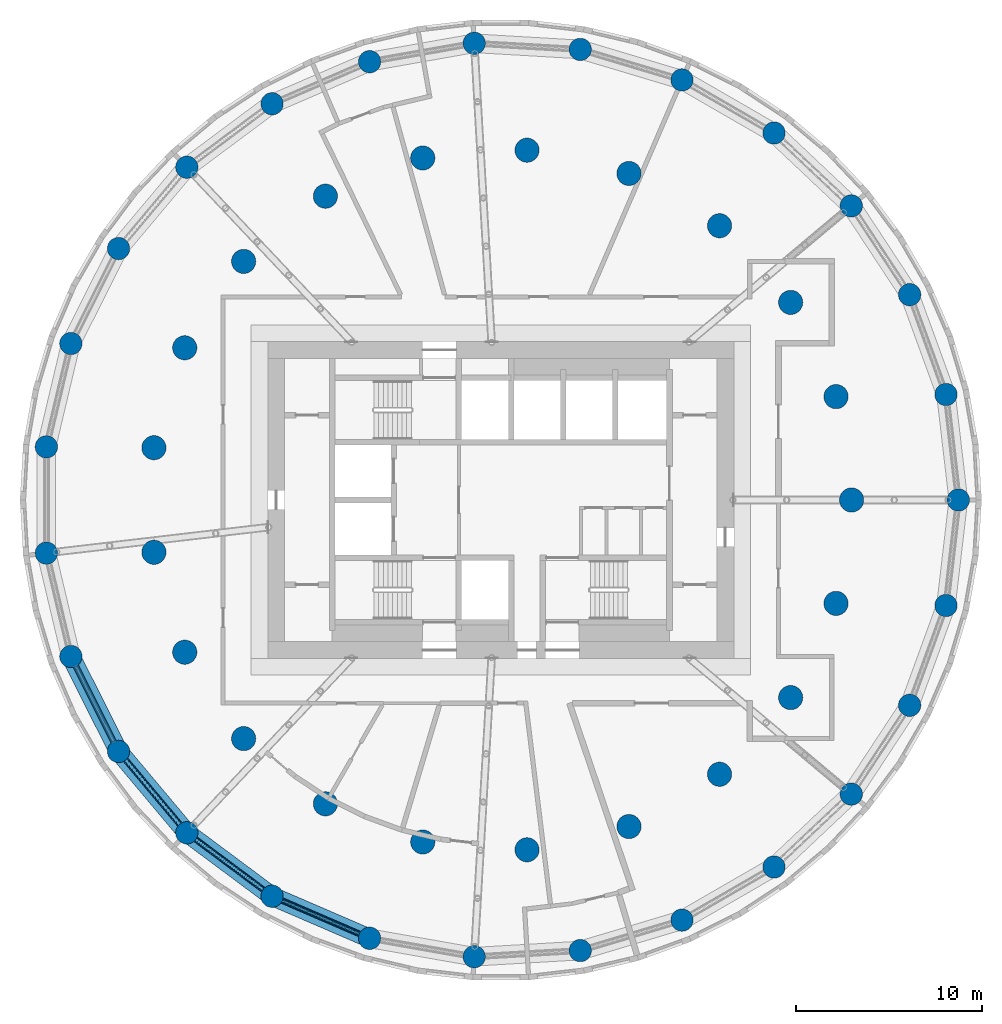
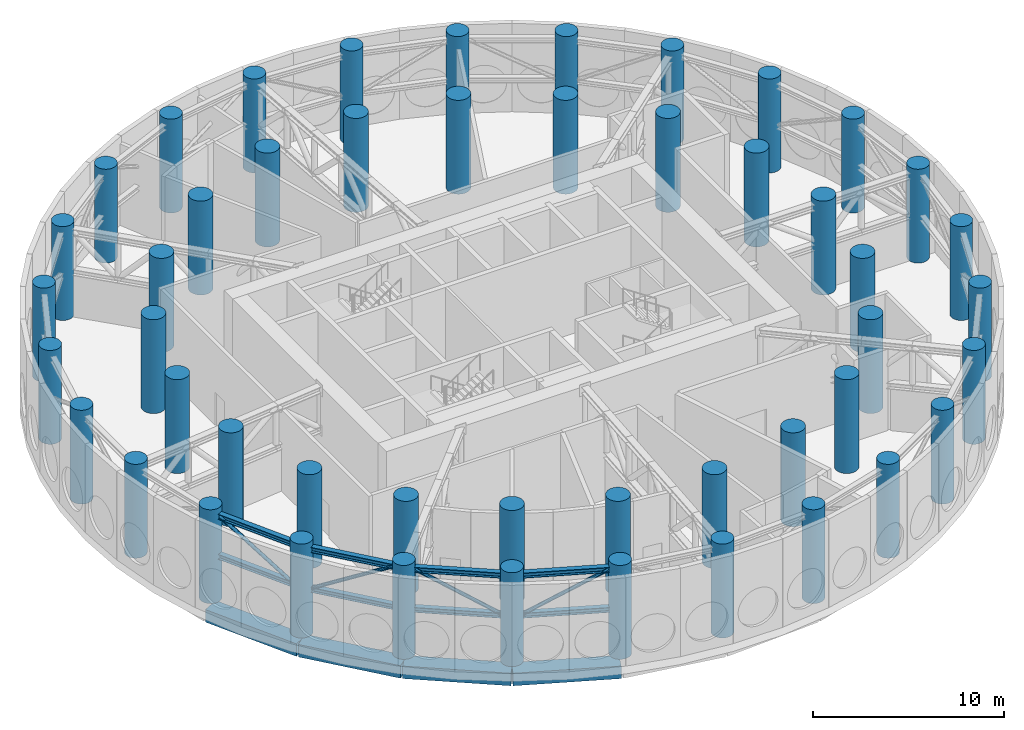
# One storey, part 1 of 15: 48 columns, 12 members, 4 beams.
"""IFC4 building model written with IfcOpenShell, lengths in metres."""

from ifc_helpers import new_model, si_unit, direction, frame, origin, origin_2d, place, context, subcontext, project, spatial, rectangle, circle, hollow_circle, i_section, extrude, material, material_profile, profile_set, type_object, element, save


model = new_model("IFC4")

# Units and contexts
model_context = context("Model", 3, precision=1e-05, world=origin(), true_north=direction((0.0, 1.0)))
body_context = subcontext(model_context, "Body", "Model", "MODEL_VIEW")
ifc_project = project(units=[si_unit("LENGTHUNIT", "METRE"), si_unit("AREAUNIT", "SQUARE_METRE"), si_unit("VOLUMEUNIT", "CUBIC_METRE"), si_unit("PLANEANGLEUNIT", "RADIAN"), si_unit("MASSUNIT", "GRAM", prefix="KILO")], contexts=[model_context])

# Site, building, storey
site_placement = place(None, origin())
site = spatial("IfcSite", under=ifc_project, at=site_placement, CompositionType="ELEMENT")
building_placement = place(site_placement, origin())
building = spatial("IfcBuilding", under=site, at=building_placement, Name="Tracery Tower", CompositionType="ELEMENT")
storey_placement = place(building_placement, frame((0.0, 0.0, 225.0)))
storey = spatial("IfcBuildingStorey", under=building, at=storey_placement, Name="L58 Plant", CompositionType="ELEMENT", Elevation=225.0)

# Columns
ifc_material_1 = material(Name="Concrete C50/60", Category="concrete")
ifc_material_profile_1 = material_profile(ifc_material_1, circle(Radius=0.60009765625, at=origin_2d()), Name="RC D1200")
ifc_profile_set_1 = profile_set([ifc_material_profile_1], Name="Concrete C50/60")
column_type_1 = type_object("IfcColumnType", Name="Ring 1 column 1200", PredefinedType="COLUMN", material=ifc_profile_set_1)
for number, where, z_axis, x_axis, name in (
    (1, (24.547607421875, 0.0, 0.0), (0.0, 0.0, 1.0), (1.0, 0.0, 0.0), "Ring 1 column 00 at L58 Plant"),
    (2, (23.885986328125, 5.6611328125, 0.0), (0.0, 0.0, 1.0), (1.0, 0.0, 0.0), "Ring 1 column 01 at L58 Plant"),
    (3, (21.9365234375, 11.01708984375, 0.0), (0.0, 0.0, 1.0), (1.0, 0.0, 0.0), "Ring 1 column 02 at L58 Plant"),
    (4, (18.8046875, 15.779052734375, 0.0), (0.0, 0.0, 1.0), (1.0, 0.0, 0.0), "Ring 1 column 03 at L58 Plant"),
    (5, (14.658935546875, 19.690185546875, 0.0), (0.0, 0.0, 1.0), (1.0, 0.0, 0.0), "Ring 1 column 04 at L58 Plant"),
    (6, (9.722900390625, 22.5400390625, 0.0), (0.0, 0.0, 1.0), (1.0, 0.0, 0.0), "Ring 1 column 05 at L58 Plant"),
    (7, (4.2626953125, 24.1748046875, 0.0), (0.0, 0.0, 1.0), (1.0, 0.0, 0.0), "Ring 1 column 06 at L58 Plant"),
    (8, (-1.42724609375, 24.506103515625, 0.0), (0.0, 0.0, 1.0), (1.0, 0.0, 0.0), "Ring 1 column 07 at L58 Plant"),
    (9, (-7.040283203125, 23.516357421875, 0.0), (0.0, 0.0, 1.0), (1.0, 0.0, 0.0), "Ring 1 column 08 at L58 Plant"),
    (10, (-12.273681640625, 21.2587890625, 0.0), (0.0, 0.0, 1.0), (1.0, 0.0, 0.0), "Ring 1 column 09 at L58 Plant"),
    (11, (-16.845703125, 17.855224609375, 0.0), (0.0, 0.0, 1.0), (1.0, 0.0, 0.0), "Ring 1 column 10 at L58 Plant"),
    (12, (-20.50927734375, 13.4892578125, 0.0), (0.0, 0.0, 1.0), (1.0, 0.0, 0.0), "Ring 1 column 11 at L58 Plant"),
    (13, (-23.0673828125, 8.395751953125, 0.0), (0.0, 0.0, 1.0), (1.0, 0.0, 0.0), "Ring 1 column 12 at L58 Plant"),
    (14, (-24.381591796875, 2.849853515625, 0.0), (0.0, 0.0, 1.0), (1.0, 0.0, 0.0), "Ring 1 column 13 at L58 Plant"),
    (15, (-24.381591796875, -2.849853515625, 0.0), (0.0, 0.0, 1.0), (1.0, 0.0, 0.0), "Ring 1 column 14 at L58 Plant"),
    (16, (-23.0673828125, -8.395751953125, 0.0), (0.0, 0.0, 1.0), (1.0, 0.0, 0.0), "Ring 1 column 15 at L58 Plant"),
    (17, (-20.50927734375, -13.4892578125, 0.0), (0.0, 0.0, 1.0), (1.0, 0.0, 0.0), "Ring 1 column 16 at L58 Plant"),
    (18, (-16.845703125, -17.85546875, 0.0), (0.0, 0.0, 1.0), (1.0, 0.0, 0.0), "Ring 1 column 17 at L58 Plant"),
    (19, (-12.27392578125, -21.2587890625, 0.0), (0.0, 0.0, 1.0), (1.0, 0.0, 0.0), "Ring 1 column 18 at L58 Plant"),
    (20, (-7.040283203125, -23.516357421875, 0.0), (0.0, 0.0, 1.0), (1.0, 0.0, 0.0), "Ring 1 column 19 at L58 Plant"),
    (21, (-1.42724609375, -24.506103515625, 0.0), (0.0, 0.0, 1.0), (1.0, 0.0, 0.0), "Ring 1 column 20 at L58 Plant"),
    (22, (4.2626953125, -24.1748046875, 0.0), (0.0, 0.0, 1.0), (1.0, 0.0, 0.0), "Ring 1 column 21 at L58 Plant"),
    (23, (9.722900390625, -22.5400390625, 0.0), (0.0, 0.0, 1.0), (1.0, 0.0, 0.0), "Ring 1 column 22 at L58 Plant"),
    (24, (14.658935546875, -19.690185546875, 0.0), (0.0, 0.0, 1.0), (1.0, 0.0, 0.0), "Ring 1 column 23 at L58 Plant"),
    (25, (18.8046875, -15.779052734375, 0.0), (0.0, 0.0, 1.0), (1.0, 0.0, 0.0), "Ring 1 column 24 at L58 Plant"),
    (26, (21.9365234375, -11.01708984375, 0.0), (0.0, 0.0, 1.0), (1.0, 0.0, 0.0), "Ring 1 column 25 at L58 Plant"),
    (27, (23.885986328125, -5.6611328125, 0.0), (0.0, 0.0, 1.0), (1.0, 0.0, 0.0), "Ring 1 column 26 at L58 Plant"),
):
    element("IfcColumn", number, at=place(storey_placement, frame(where, z_axis=z_axis, x_axis=x_axis)), inside=storey, type_object=column_type_1, Name=name, PredefinedType="COLUMN", context=body_context, shape_type="SweptSolid", body=[
        extrude(circle(Radius=0.60009765625, at=origin_2d()), origin(), (0.0, 0.0, 1.0), 6.0),
    ])
ifc_material_2 = material(Name="Concrete C50/60", Category="concrete")
ifc_material_profile_2 = material_profile(ifc_material_2, circle(Radius=0.64990234375, at=origin_2d()), Name="RC D1300")
ifc_profile_set_2 = profile_set([ifc_material_profile_2], Name="Concrete C50/60")
column_type_2 = type_object("IfcColumnType", Name="Ring 2 column 1300", PredefinedType="COLUMN", material=ifc_profile_set_2)
for number, where, z_axis, x_axis, name in (
    (28, (18.822265625, 0.0, 0.0), (0.0, 0.0, 1.0), (1.0, 0.0, 0.0), "Ring 2 column 00 at L58 Plant"),
    (29, (17.986083984375, 5.5478515625, 0.0), (0.0, 0.0, 1.0), (1.0, 0.0, 0.0), "Ring 2 column 01 at L58 Plant"),
    (30, (15.551513671875, 10.602783203125, 0.0), (0.0, 0.0, 1.0), (1.0, 0.0, 0.0), "Ring 2 column 02 at L58 Plant"),
    (31, (11.7353515625, 14.7158203125, 0.0), (0.0, 0.0, 1.0), (1.0, 0.0, 0.0), "Ring 2 column 03 at L58 Plant"),
    (32, (6.87646484375, 17.52099609375, 0.0), (0.0, 0.0, 1.0), (1.0, 0.0, 0.0), "Ring 2 column 04 at L58 Plant"),
    (33, (1.406494140625, 18.76953125, 0.0), (0.0, 0.0, 1.0), (1.0, 0.0, 0.0), "Ring 2 column 05 at L58 Plant"),
    (34, (-4.188232421875, 18.350341796875, 0.0), (0.0, 0.0, 1.0), (1.0, 0.0, 0.0), "Ring 2 column 06 at L58 Plant"),
    (35, (-9.4111328125, 16.300537109375, 0.0), (0.0, 0.0, 1.0), (1.0, 0.0, 0.0), "Ring 2 column 07 at L58 Plant"),
    (36, (-13.797607421875, 12.802490234375, 0.0), (0.0, 0.0, 1.0), (1.0, 0.0, 0.0), "Ring 2 column 08 at L58 Plant"),
    (37, (-16.958251953125, 8.16650390625, 0.0), (0.0, 0.0, 1.0), (1.0, 0.0, 0.0), "Ring 2 column 09 at L58 Plant"),
    (38, (-18.612060546875, 2.805419921875, 0.0), (0.0, 0.0, 1.0), (1.0, 0.0, 0.0), "Ring 2 column 10 at L58 Plant"),
    (39, (-18.612060546875, -2.805419921875, 0.0), (0.0, 0.0, 1.0), (1.0, 0.0, 0.0), "Ring 2 column 11 at L58 Plant"),
    (40, (-16.958251953125, -8.166748046875, 0.0), (0.0, 0.0, 1.0), (1.0, 0.0, 0.0), "Ring 2 column 12 at L58 Plant"),
    (41, (-13.797607421875, -12.80224609375, 0.0), (0.0, 0.0, 1.0), (1.0, 0.0, 0.0), "Ring 2 column 13 at L58 Plant"),
    (42, (-9.4111328125, -16.300537109375, 0.0), (0.0, 0.0, 1.0), (1.0, 0.0, 0.0), "Ring 2 column 14 at L58 Plant"),
    (43, (-4.188232421875, -18.350341796875, 0.0), (0.0, 0.0, 1.0), (1.0, 0.0, 0.0), "Ring 2 column 15 at L58 Plant"),
    (44, (1.406494140625, -18.76953125, 0.0), (0.0, 0.0, 1.0), (1.0, 0.0, 0.0), "Ring 2 column 16 at L58 Plant"),
    (45, (6.87646484375, -17.52099609375, 0.0), (0.0, 0.0, 1.0), (1.0, 0.0, 0.0), "Ring 2 column 17 at L58 Plant"),
    (46, (11.7353515625, -14.7158203125, 0.0), (0.0, 0.0, 1.0), (1.0, 0.0, 0.0), "Ring 2 column 18 at L58 Plant"),
    (47, (15.551513671875, -10.602783203125, 0.0), (0.0, 0.0, 1.0), (1.0, 0.0, 0.0), "Ring 2 column 19 at L58 Plant"),
    (48, (17.986083984375, -5.5478515625, 0.0), (0.0, 0.0, 1.0), (1.0, 0.0, 0.0), "Ring 2 column 20 at L58 Plant"),
):
    element("IfcColumn", number, at=place(storey_placement, frame(where, z_axis=z_axis, x_axis=x_axis)), inside=storey, type_object=column_type_2, Name=name, PredefinedType="COLUMN", context=body_context, shape_type="SweptSolid", body=[
        extrude(circle(Radius=0.64990234375, at=origin_2d()), origin(), (0.0, 0.0, 1.0), 6.0),
    ])

# Members
ifc_material_3 = material(Name="Steel S355", Category="steel")
ifc_material_profile_3 = material_profile(ifc_material_3, i_section(OverallWidth=0.30908203125, OverallDepth=0.320556640625, WebThickness=0.013916015625, FlangeThickness=0.021728515625, FilletRadius=0.01513671875, at=origin_2d()), Name="UKC 305x305x137")
ifc_profile_set_3 = profile_set([ifc_material_profile_3], Name="Steel S355")
member_type_1 = type_object("IfcMemberType", Name="Belt truss bottom chord UKC 305x305x137", PredefinedType="CHORD", material=ifc_profile_set_3)
member_1_placement = place(storey_placement, frame((-22.843017578125, -8.842529296875, 2.88720703125), z_axis=(0.448812814587, -0.893625792747, 0.0), x_axis=(0.893625792747, 0.448812814587, 0.0)))
element("IfcMember", 49, at=member_1_placement, inside=storey, type_object=member_type_1, Name="Belt truss bottom chord 16", PredefinedType="CHORD", context=body_context, shape_type="SweptSolid", body=[
    extrude(i_section(OverallWidth=0.30908203125, OverallDepth=0.320556640625, WebThickness=0.013916015625, FlangeThickness=0.021728515625, FilletRadius=0.01513671875, at=origin_2d()), origin(), (0.0, 0.0, 1.0), 4.699951171875),
])
member_2_placement = place(storey_placement, frame((-20.18798828125, -13.872314453125, 2.88720703125), z_axis=(0.64280702316, -0.766028152862, 0.0), x_axis=(0.766028152862, 0.64280702316, 0.0)))
element("IfcMember", 50, at=member_2_placement, inside=storey, type_object=member_type_1, Name="Belt truss bottom chord 17", PredefinedType="CHORD", context=body_context, shape_type="SweptSolid", body=[
    extrude(i_section(OverallWidth=0.30908203125, OverallDepth=0.320556640625, WebThickness=0.013916015625, FlangeThickness=0.021728515625, FilletRadius=0.01513671875, at=origin_2d()), origin(), (0.0, 0.0, 1.0), 4.69970703125),
])
member_3_placement = place(storey_placement, frame((-16.444580078125, -18.154052734375, 2.88720703125), z_axis=(0.802139469872, -0.597136727118, 0.0), x_axis=(0.597136727118, 0.802139469872, 0.0)))
element("IfcMember", 51, at=member_3_placement, inside=storey, type_object=member_type_1, Name="Belt truss bottom chord 18", PredefinedType="CHORD", context=body_context, shape_type="SweptSolid", body=[
    extrude(i_section(OverallWidth=0.30908203125, OverallDepth=0.320556640625, WebThickness=0.013916015625, FlangeThickness=0.021728515625, FilletRadius=0.01513671875, at=origin_2d()), origin(), (0.0, 0.0, 1.0), 4.699462890625),
])
member_4_placement = place(storey_placement, frame((-11.814697265625, -21.456787109375, 2.88720703125), z_axis=(0.918201951014, -0.396112581413, 0.0), x_axis=(0.396112581413, 0.918201951014, 0.0)))
element("IfcMember", 52, at=member_4_placement, inside=storey, type_object=member_type_1, Name="Belt truss bottom chord 19", PredefinedType="CHORD", context=body_context, shape_type="SweptSolid", body=[
    extrude(i_section(OverallWidth=0.30908203125, OverallDepth=0.320556640625, WebThickness=0.013916015625, FlangeThickness=0.021728515625, FilletRadius=0.01513671875, at=origin_2d()), origin(), (0.0, 0.0, 1.0), 4.69970703125),
])
ifc_material_4 = material(Name="Steel S355", Category="steel")
ifc_material_profile_4 = material_profile(ifc_material_4, hollow_circle(Radius=0.109619140625, WallThickness=0.010009765625, at=origin_2d()), Name="CHS 219.1x10")
ifc_profile_set_4 = profile_set([ifc_material_profile_4], Name="Steel S355")
member_type_2 = type_object("IfcMemberType", Name="Belt truss diagonal CHS 219.1x10", PredefinedType="BRACE", material=ifc_profile_set_4)
for number, where, z_axis, x_axis, name in (
    (53, (-22.843017578125, -8.842529296875, 5.44677734375), (0.394152108087, -0.784791517988, -0.478274386711), (0.893625792747, 0.448812814587, 0.0), "Belt truss diagonal 16"),
    (54, (-20.18798828125, -13.872314453125, 2.88720703125), (0.564514202911, -0.672727205118, 0.478290520715), (0.766028152862, 0.64280702316, 0.0), "Belt truss diagonal 17"),
):
    element("IfcMember", number, at=place(storey_placement, frame(where, z_axis=z_axis, x_axis=x_axis)), inside=storey, type_object=member_type_2, Name=name, PredefinedType="BRACE", context=body_context, shape_type="SweptSolid", body=[
        extrude(hollow_circle(Radius=0.109619140625, WallThickness=0.010009765625, at=origin_2d()), origin(), (0.0, 0.0, 1.0), 5.3515625),
    ])
member_5_placement = place(storey_placement, frame((-16.444580078125, -18.154052734375, 5.44677734375), z_axis=(0.704428316535, -0.524397608177, -0.47831777659), x_axis=(0.597136727118, 0.802139469872, 0.0)))
element("IfcMember", 55, at=member_5_placement, inside=storey, type_object=member_type_2, Name="Belt truss diagonal 18", PredefinedType="BRACE", context=body_context, shape_type="SweptSolid", body=[
    extrude(hollow_circle(Radius=0.109619140625, WallThickness=0.010009765625, at=origin_2d()), origin(), (0.0, 0.0, 1.0), 5.35107421875),
])
member_6_placement = place(storey_placement, frame((-11.814697265625, -21.456787109375, 2.88720703125), z_axis=(0.806362969112, -0.347865212983, 0.478297559727), x_axis=(0.396112581413, 0.918201951014, 0.0)))
element("IfcMember", 56, at=member_6_placement, inside=storey, type_object=member_type_2, Name="Belt truss diagonal 19", PredefinedType="BRACE", context=body_context, shape_type="SweptSolid", body=[
    extrude(hollow_circle(Radius=0.109619140625, WallThickness=0.010009765625, at=origin_2d()), origin(), (0.0, 0.0, 1.0), 5.351318359375),
])
ifc_material_5 = material(Name="Steel S355", Category="steel")
ifc_material_profile_5 = material_profile(ifc_material_5, i_section(OverallWidth=0.314453125, OverallDepth=0.33984375, WebThickness=0.01904296875, FlangeThickness=0.031494140625, FilletRadius=0.01513671875, at=origin_2d()), Name="UKC 305x305x198")
ifc_profile_set_5 = profile_set([ifc_material_profile_5], Name="Steel S355")
member_type_3 = type_object("IfcMemberType", Name="Belt truss top chord UKC 305x305x198", PredefinedType="CHORD", material=ifc_profile_set_5)
member_7_placement = place(storey_placement, frame((-22.843017578125, -8.842529296875, 5.44677734375), z_axis=(0.448812814587, -0.893625792747, 0.0), x_axis=(0.893625792747, 0.448812814587, 0.0)))
element("IfcMember", 57, at=member_7_placement, inside=storey, type_object=member_type_3, Name="Belt truss top chord 16", PredefinedType="CHORD", context=body_context, shape_type="SweptSolid", body=[
    extrude(i_section(OverallWidth=0.314453125, OverallDepth=0.33984375, WebThickness=0.01904296875, FlangeThickness=0.031494140625, FilletRadius=0.01513671875, at=origin_2d()), origin(), (0.0, 0.0, 1.0), 4.699951171875),
])
member_8_placement = place(storey_placement, frame((-20.18798828125, -13.872314453125, 5.44677734375), z_axis=(0.64280702316, -0.766028152862, 0.0), x_axis=(0.766028152862, 0.64280702316, 0.0)))
element("IfcMember", 58, at=member_8_placement, inside=storey, type_object=member_type_3, Name="Belt truss top chord 17", PredefinedType="CHORD", context=body_context, shape_type="SweptSolid", body=[
    extrude(i_section(OverallWidth=0.314453125, OverallDepth=0.33984375, WebThickness=0.01904296875, FlangeThickness=0.031494140625, FilletRadius=0.01513671875, at=origin_2d()), origin(), (0.0, 0.0, 1.0), 4.69970703125),
])
member_9_placement = place(storey_placement, frame((-16.444580078125, -18.154052734375, 5.44677734375), z_axis=(0.802139469872, -0.597136727118, 0.0), x_axis=(0.597136727118, 0.802139469872, 0.0)))
element("IfcMember", 59, at=member_9_placement, inside=storey, type_object=member_type_3, Name="Belt truss top chord 18", PredefinedType="CHORD", context=body_context, shape_type="SweptSolid", body=[
    extrude(i_section(OverallWidth=0.314453125, OverallDepth=0.33984375, WebThickness=0.01904296875, FlangeThickness=0.031494140625, FilletRadius=0.01513671875, at=origin_2d()), origin(), (0.0, 0.0, 1.0), 4.699462890625),
])
member_10_placement = place(storey_placement, frame((-11.814697265625, -21.456787109375, 5.44677734375), z_axis=(0.918201951014, -0.396112581413, 0.0), x_axis=(0.396112581413, 0.918201951014, 0.0)))
element("IfcMember", 60, at=member_10_placement, inside=storey, type_object=member_type_3, Name="Belt truss top chord 19", PredefinedType="CHORD", context=body_context, shape_type="SweptSolid", body=[
    extrude(i_section(OverallWidth=0.314453125, OverallDepth=0.33984375, WebThickness=0.01904296875, FlangeThickness=0.031494140625, FilletRadius=0.01513671875, at=origin_2d()), origin(), (0.0, 0.0, 1.0), 4.69970703125),
])

# Beams
ifc_material_6 = material(Name="Concrete C50/60", Category="concrete")
ifc_material_profile_6 = material_profile(ifc_material_6, rectangle(XDim=1.0, YDim=0.800048828125, at=origin_2d()), Name="RC 1000x800")
ifc_profile_set_6 = profile_set([ifc_material_profile_6], Name="Concrete C50/60")
beam_type = type_object("IfcBeamType", Name="Plant level band beam 1000x800", PredefinedType="BEAM", material=ifc_profile_set_6)
for number, where, z_axis, x_axis, name in (
    (61, (-23.0673828125, -8.395751953125, -0.89990234375), (0.448806280933, -0.893629074166, 0.0), (0.893629074166, 0.448806280933, 0.0), "Perimeter beam 1.15 under L58 Plant"),
    (62, (-20.50927734375, -13.4892578125, -0.89990234375), (0.64277610208, -0.766054099, 0.0), (0.766054099, 0.64277610208, 0.0), "Perimeter beam 1.16 under L58 Plant"),
):
    element("IfcBeam", number, at=place(storey_placement, frame(where, z_axis=z_axis, x_axis=x_axis)), inside=storey, type_object=beam_type, Name=name, PredefinedType="BEAM", context=body_context, shape_type="SweptSolid", body=[
        extrude(rectangle(XDim=1.0, YDim=0.800048828125, at=origin_2d()), origin(), (0.0, 0.0, 1.0), 5.69970703125),
    ])
beam_1_placement = place(storey_placement, frame((-16.845703125, -17.85546875, -0.89990234375), z_axis=(0.802143514942, -0.597131293298, 0.0), x_axis=(0.597131293298, 0.802143514942, 0.0)))
element("IfcBeam", 63, at=beam_1_placement, inside=storey, type_object=beam_type, Name="Perimeter beam 1.17 under L58 Plant", PredefinedType="BEAM", context=body_context, shape_type="SweptSolid", body=[
    extrude(rectangle(XDim=1.0, YDim=0.800048828125, at=origin_2d()), origin(), (0.0, 0.0, 1.0), 5.699462890625),
])
beam_2_placement = place(storey_placement, frame((-12.27392578125, -21.2587890625, -0.89990234375), z_axis=(0.918216405543, -0.39607907366, 0.0), x_axis=(0.39607907366, 0.918216405543, 0.0)))
element("IfcBeam", 64, at=beam_2_placement, inside=storey, type_object=beam_type, Name="Perimeter beam 1.18 under L58 Plant", PredefinedType="BEAM", context=body_context, shape_type="SweptSolid", body=[
    extrude(rectangle(XDim=1.0, YDim=0.800048828125, at=origin_2d()), origin(), (0.0, 0.0, 1.0), 5.69970703125),
])

save(model, "model.ifc")
